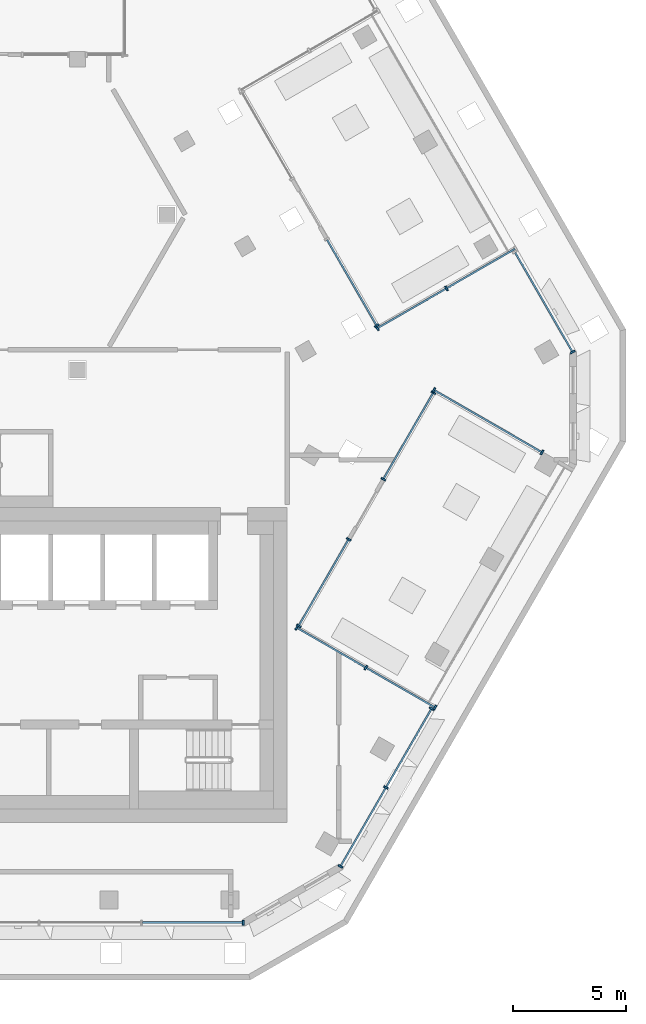
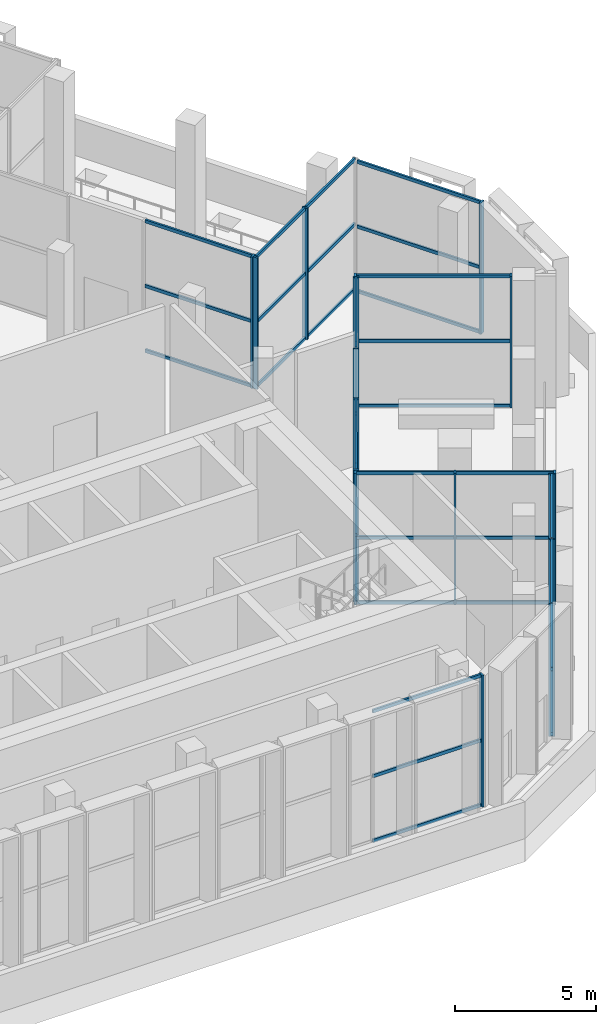
# One storey, part 3 of 23: 53 members, 9 elements without a shape of their own.
"""IFC4 building model written with IfcOpenShell, lengths in metres."""

from ifc_helpers import new_model, si_unit, direction, frame, origin, origin_2d, place, context, subcontext, project, spatial, rectangle, hollow_rectangle, extrude, material, material_profile, profile_set, type_object, element, aggregate, save


model = new_model("IFC4")

# Units and contexts
model_context = context("Model", 3, precision=1e-05, world=origin(), true_north=direction((0.0, 1.0)))
body_context = subcontext(model_context, "Body", "Model", "MODEL_VIEW")
ifc_project = project(units=[si_unit("LENGTHUNIT", "METRE"), si_unit("AREAUNIT", "SQUARE_METRE"), si_unit("VOLUMEUNIT", "CUBIC_METRE"), si_unit("PLANEANGLEUNIT", "RADIAN"), si_unit("MASSUNIT", "GRAM", prefix="KILO")], contexts=[model_context])

# Site, building, storey
site_placement = place(None, origin())
site = spatial("IfcSite", under=ifc_project, at=site_placement, CompositionType="ELEMENT")
building_placement = place(site_placement, origin())
building = spatial("IfcBuilding", under=site, at=building_placement, Name="Beryl Residences", CompositionType="ELEMENT")
storey_placement = place(building_placement, frame((0.0, 0.0, 157.199951171875)))
storey = spatial("IfcBuildingStorey", under=building, at=storey_placement, Name="L48", CompositionType="ELEMENT", Elevation=157.199951171875)

# Curtain wall, member
ifc_material_1 = material(Name="Aluminium and clear glass", Category="aluminium")
curtain_wall_type = type_object("IfcCurtainWallType", Name="CW3 sky garden glazing glazed wall", PredefinedType="NOTDEFINED", material=ifc_material_1)
curtain_wall_1_placement = place(storey_placement, origin())
curtain_wall_1 = element("IfcCurtainWall", 1, at=curtain_wall_1_placement, inside=storey, type_object=curtain_wall_type, Name="CW3 L48 S", PredefinedType="NOTDEFINED")
ifc_material_2 = material(Name="Aluminium", Category="aluminium")
ifc_material_profile_1 = material_profile(ifc_material_2, rectangle(XDim=0.080078125, YDim=0.219970703125, at=origin_2d()))
ifc_profile_set_1 = profile_set([ifc_material_profile_1], Name="Aluminium")
member_type_1 = type_object("IfcMemberType", Name="CW3-M mullion 80 x 220 mm", PredefinedType="MULLION", material=ifc_profile_set_1)
member_1_placement = place(storey_placement, frame((11.35107421875, -23.449951171875, 0.0), z_axis=(0.0, 0.0, 1.0), x_axis=(1.0, 0.0, 0.0)))
member_1 = element("IfcMember", 2, at=member_1_placement, type_object=member_type_1, Name="CW3 mullion 6", PredefinedType="MULLION", context=body_context, shape_type="SweptSolid", body=[
    extrude(rectangle(XDim=0.080078125, YDim=0.219970703125, at=origin_2d()), origin(), (0.0, 0.0, 1.0), 5.699951171875),
])

# Curtain wall, members
curtain_wall_2_placement = place(storey_placement, origin())
curtain_wall_2 = element("IfcCurtainWall", 3, at=curtain_wall_2_placement, inside=storey, type_object=curtain_wall_type, Name="CW3 L48 SE", PredefinedType="NOTDEFINED")
member_2_placement = place(storey_placement, frame((15.6708984375, -20.955322265625, 0.0), z_axis=(0.0, 0.0, 1.0), x_axis=(0.500071793615, 0.865983949754, 0.0)))
member_2 = element("IfcMember", 4, at=member_2_placement, type_object=member_type_1, Name="CW3 mullion 1", PredefinedType="MULLION", context=body_context, shape_type="SweptSolid", body=[
    extrude(rectangle(XDim=0.080078125, YDim=0.219970703125, at=origin_2d()), origin(), (0.0, 0.0, 1.0), 5.699951171875),
])
member_3_placement = place(storey_placement, frame((17.695556640625, -17.449462890625, 0.0), z_axis=(0.0, 0.0, 1.0), x_axis=(0.500071793615, 0.865983949754, 0.0)))
member_3 = element("IfcMember", 5, at=member_3_placement, type_object=member_type_1, Name="CW3 mullion 2", PredefinedType="MULLION", context=body_context, shape_type="SweptSolid", body=[
    extrude(rectangle(XDim=0.080078125, YDim=0.219970703125, at=origin_2d()), origin(), (0.0, 0.0, 1.0), 5.699951171875),
])
member_4_placement = place(storey_placement, frame((19.719970703125, -13.943603515625, 0.0), z_axis=(0.0, 0.0, 1.0), x_axis=(0.500071793615, 0.865983949754, 0.0)))
member_4 = element("IfcMember", 6, at=member_4_placement, type_object=member_type_1, Name="CW3 mullion 3", PredefinedType="MULLION", context=body_context, shape_type="SweptSolid", body=[
    extrude(rectangle(XDim=0.080078125, YDim=0.219970703125, at=origin_2d()), origin(), (0.0, 0.0, 1.0), 5.699951171875),
])

# Curtain wall, member
curtain_wall_3_placement = place(storey_placement, origin())
curtain_wall_3 = element("IfcCurtainWall", 7, at=curtain_wall_3_placement, inside=storey, type_object=curtain_wall_type, Name="CW3 L48 NE", PredefinedType="NOTDEFINED")
member_5_placement = place(storey_placement, frame((25.98388671875, 1.89453125, 0.0), z_axis=(0.0, 0.0, 1.0), x_axis=(-0.500015649485, 0.866016368361, 0.0)))
member_5 = element("IfcMember", 8, at=member_5_placement, type_object=member_type_1, Name="CW3 mullion 1", PredefinedType="MULLION", context=body_context, shape_type="SweptSolid", body=[
    extrude(rectangle(XDim=0.080078125, YDim=0.219970703125, at=origin_2d()), origin(), (0.0, 0.0, 1.0), 5.699951171875),
])

# Curtain wall, members
curtain_wall_4_placement = place(storey_placement, origin())
curtain_wall_4 = element("IfcCurtainWall", 9, at=curtain_wall_4_placement, inside=storey, type_object=curtain_wall_type, Name="CW3 L48 SE garden back", PredefinedType="NOTDEFINED")
member_6_placement = place(storey_placement, frame((13.81591796875, -10.269287109375, 0.0), z_axis=(0.0, 0.0, 1.0), x_axis=(0.499850094856, 0.866111934263, 0.0)))
member_6 = element("IfcMember", 10, at=member_6_placement, type_object=member_type_1, Name="CW3 mullion 1", PredefinedType="MULLION", context=body_context, shape_type="SweptSolid", body=[
    extrude(rectangle(XDim=0.080078125, YDim=0.219970703125, at=origin_2d()), origin(), (0.0, 0.0, 1.0), 5.699951171875),
])
member_7_placement = place(storey_placement, frame((16.035888671875, -6.422607421875, 0.0), z_axis=(0.0, 0.0, 1.0), x_axis=(0.499850094856, 0.866111934263, 0.0)))
member_7 = element("IfcMember", 11, at=member_7_placement, type_object=member_type_1, Name="CW3 mullion 2", PredefinedType="MULLION", context=body_context, shape_type="SweptSolid", body=[
    extrude(rectangle(XDim=0.080078125, YDim=0.219970703125, at=origin_2d()), origin(), (0.0, 0.0, 1.0), 5.699951171875),
])

curtain_wall_5_placement = place(storey_placement, origin())
curtain_wall_5 = element("IfcCurtainWall", 12, at=curtain_wall_5_placement, inside=storey, type_object=curtain_wall_type, Name="CW3 L48 SE garden back", PredefinedType="NOTDEFINED")
member_8_placement = place(storey_placement, frame((17.575927734375, -3.75537109375, 0.0), z_axis=(0.0, 0.0, 1.0), x_axis=(0.500015979941, 0.866016177565, 0.0)))
member_8 = element("IfcMember", 13, at=member_8_placement, type_object=member_type_1, Name="CW3 mullion 1", PredefinedType="MULLION", context=body_context, shape_type="SweptSolid", body=[
    extrude(rectangle(XDim=0.080078125, YDim=0.219970703125, at=origin_2d()), origin(), (0.0, 0.0, 1.0), 5.699951171875),
])
member_9_placement = place(storey_placement, frame((19.797119140625, 0.09130859375, 0.0), z_axis=(0.0, 0.0, 1.0), x_axis=(0.500015979941, 0.866016177565, 0.0)))
member_9 = element("IfcMember", 14, at=member_9_placement, type_object=member_type_1, Name="CW3 mullion 2", PredefinedType="MULLION", context=body_context, shape_type="SweptSolid", body=[
    extrude(rectangle(XDim=0.080078125, YDim=0.219970703125, at=origin_2d()), origin(), (0.0, 0.0, 1.0), 5.699951171875),
])

curtain_wall_6_placement = place(storey_placement, origin())
curtain_wall_6 = element("IfcCurtainWall", 15, at=curtain_wall_6_placement, inside=storey, type_object=curtain_wall_type, Name="CW3 L48 SE garden left", PredefinedType="NOTDEFINED")
member_10_placement = place(storey_placement, frame((19.872314453125, -13.89892578125, 0.0), z_axis=(0.0, 0.0, 1.0), x_axis=(-0.866004557823, 0.500036104527, 0.0)))
member_10 = element("IfcMember", 16, at=member_10_placement, type_object=member_type_1, Name="CW3 mullion 1", PredefinedType="MULLION", context=body_context, shape_type="SweptSolid", body=[
    extrude(rectangle(XDim=0.080078125, YDim=0.219970703125, at=origin_2d()), origin(), (0.0, 0.0, 1.0), 5.699951171875),
])
member_11_placement = place(storey_placement, frame((16.800048828125, -12.125, 0.0), z_axis=(0.0, 0.0, 1.0), x_axis=(-0.866004557823, 0.500036104527, 0.0)))
member_11 = element("IfcMember", 17, at=member_11_placement, type_object=member_type_1, Name="CW3 mullion 2", PredefinedType="MULLION", context=body_context, shape_type="SweptSolid", body=[
    extrude(rectangle(XDim=0.080078125, YDim=0.219970703125, at=origin_2d()), origin(), (0.0, 0.0, 1.0), 5.699951171875),
])
member_12_placement = place(storey_placement, frame((13.7275390625, -10.35107421875, 0.0), z_axis=(0.0, 0.0, 1.0), x_axis=(-0.866004557823, 0.500036104527, 0.0)))
member_12 = element("IfcMember", 18, at=member_12_placement, type_object=member_type_1, Name="CW3 mullion 3", PredefinedType="MULLION", context=body_context, shape_type="SweptSolid", body=[
    extrude(rectangle(XDim=0.080078125, YDim=0.219970703125, at=origin_2d()), origin(), (0.0, 0.0, 1.0), 5.699951171875),
])

curtain_wall_7_placement = place(storey_placement, origin())
curtain_wall_7 = element("IfcCurtainWall", 19, at=curtain_wall_7_placement, inside=storey, type_object=curtain_wall_type, Name="CW3 L48 SE garden right", PredefinedType="NOTDEFINED")
member_13_placement = place(storey_placement, frame((24.622314453125, -2.56201171875, 0.0), z_axis=(0.0, 0.0, 1.0), x_axis=(-0.866067086515, 0.499927796442, 0.0)))
member_13 = element("IfcMember", 20, at=member_13_placement, type_object=member_type_1, Name="CW3 mullion 1", PredefinedType="MULLION", context=body_context, shape_type="SweptSolid", body=[
    extrude(rectangle(XDim=0.080078125, YDim=0.219970703125, at=origin_2d()), origin(), (0.0, 0.0, 1.0), 5.699951171875),
])
member_14_placement = place(storey_placement, frame((19.82373046875, 0.2080078125, 0.0), z_axis=(0.0, 0.0, 1.0), x_axis=(-0.866067086515, 0.499927796442, 0.0)))
member_14 = element("IfcMember", 21, at=member_14_placement, type_object=member_type_1, Name="CW3 mullion 2", PredefinedType="MULLION", context=body_context, shape_type="SweptSolid", body=[
    extrude(rectangle(XDim=0.080078125, YDim=0.219970703125, at=origin_2d()), origin(), (0.0, 0.0, 1.0), 5.699951171875),
])

# Curtain wall, member
curtain_wall_8_placement = place(storey_placement, origin())
curtain_wall_8 = element("IfcCurtainWall", 22, at=curtain_wall_8_placement, inside=storey, type_object=curtain_wall_type, Name="CW3 L48 NE garden back", PredefinedType="NOTDEFINED")
member_15_placement = place(storey_placement, frame((17.281982421875, 3.066650390625, 0.0), z_axis=(0.0, 0.0, 1.0), x_axis=(-0.500060373122, 0.86599054454, 0.0)))
member_15 = element("IfcMember", 23, at=member_15_placement, type_object=member_type_1, Name="CW3 mullion 1", PredefinedType="MULLION", context=body_context, shape_type="SweptSolid", body=[
    extrude(rectangle(XDim=0.080078125, YDim=0.219970703125, at=origin_2d()), origin(), (0.0, 0.0, 1.0), 5.699951171875),
])

# Curtain wall, members
curtain_wall_9_placement = place(storey_placement, origin())
curtain_wall_9 = element("IfcCurtainWall", 24, at=curtain_wall_9_placement, inside=storey, type_object=curtain_wall_type, Name="CW3 L48 NE garden left", PredefinedType="NOTDEFINED")
member_16_placement = place(storey_placement, frame((20.381103515625, 4.723388671875, 0.0), z_axis=(0.0, 0.0, 1.0), x_axis=(-0.866064904776, -0.499931576033, 0.0)))
member_16 = element("IfcMember", 25, at=member_16_placement, type_object=member_type_1, Name="CW3 mullion 2", PredefinedType="MULLION", context=body_context, shape_type="SweptSolid", body=[
    extrude(rectangle(XDim=0.080078125, YDim=0.219970703125, at=origin_2d()), origin(), (0.0, 0.0, 1.0), 5.699951171875),
])
member_17_placement = place(storey_placement, frame((17.30859375, 2.949951171875, 0.0), z_axis=(0.0, 0.0, 1.0), x_axis=(-0.866064904776, -0.499931576033, 0.0)))
member_17 = element("IfcMember", 26, at=member_17_placement, type_object=member_type_1, Name="CW3 mullion 3", PredefinedType="MULLION", context=body_context, shape_type="SweptSolid", body=[
    extrude(rectangle(XDim=0.080078125, YDim=0.219970703125, at=origin_2d()), origin(), (0.0, 0.0, 1.0), 5.699951171875),
])

# Member
ifc_material_3 = material(Name="Aluminium", Category="aluminium")
ifc_material_profile_2 = material_profile(ifc_material_3, hollow_rectangle(XDim=0.080078125, YDim=0.139892578125, WallThickness=0.00390625, at=origin_2d()))
ifc_profile_set_2 = profile_set([ifc_material_profile_2], Name="Aluminium")
member_type_2 = type_object("IfcMemberType", Name="CW3-T transom 80 x 140 mm", PredefinedType="USERDEFINED", material=ifc_profile_set_2)
member_18_placement = place(storey_placement, frame((6.87451171875, -23.449951171875, 0.0400390625), z_axis=(1.0, 0.0, 0.0), x_axis=(0.0, 1.0, 0.0)))
member_18 = element("IfcMember", 27, at=member_18_placement, type_object=member_type_2, Name="CW3 transom 5.1", ObjectType="TRANSOM", PredefinedType="USERDEFINED", context=body_context, shape_type="SweptSolid", body=[
    extrude(hollow_rectangle(XDim=0.080078125, YDim=0.139892578125, WallThickness=0.00390625, at=origin_2d()), origin(), (0.0, 0.0, 1.0), 4.4365234375),
])

member_19_placement = place(storey_placement, frame((6.87451171875, -23.449951171875, 2.85009765625), z_axis=(1.0, 0.0, 0.0), x_axis=(0.0, 1.0, 0.0)))
member_19 = element("IfcMember", 28, at=member_19_placement, type_object=member_type_2, Name="CW3 transom 5.2", ObjectType="TRANSOM", PredefinedType="USERDEFINED", context=body_context, shape_type="SweptSolid", body=[
    extrude(hollow_rectangle(XDim=0.080078125, YDim=0.139892578125, WallThickness=0.00390625, at=origin_2d()), origin(), (0.0, 0.0, 1.0), 4.4365234375),
])

member_20_placement = place(storey_placement, frame((6.87451171875, -23.449951171875, 5.66015625), z_axis=(1.0, 0.0, 0.0), x_axis=(0.0, 1.0, 0.0)))
member_20 = element("IfcMember", 29, at=member_20_placement, type_object=member_type_2, Name="CW3 transom 5.3", ObjectType="TRANSOM", PredefinedType="USERDEFINED", context=body_context, shape_type="SweptSolid", body=[
    extrude(hollow_rectangle(XDim=0.080078125, YDim=0.139892578125, WallThickness=0.00390625, at=origin_2d()), origin(), (0.0, 0.0, 1.0), 4.4365234375),
])

aggregate(curtain_wall_1, [member_1, member_18, member_19, member_20])

member_21_placement = place(storey_placement, frame((15.69091796875, -20.920654296875, 0.0400390625), z_axis=(0.500102318353, 0.865966322196, 0.0), x_axis=(-0.865966322196, 0.500102318353, 0.0)))
member_21 = element("IfcMember", 30, at=member_21_placement, type_object=member_type_2, Name="CW3 transom 1.1", ObjectType="TRANSOM", PredefinedType="USERDEFINED", context=body_context, shape_type="SweptSolid", body=[
    extrude(hollow_rectangle(XDim=0.080078125, YDim=0.139892578125, WallThickness=0.00390625, at=origin_2d()), origin(), (0.0, 0.0, 1.0), 3.968505859375),
])

member_22_placement = place(storey_placement, frame((15.69091796875, -20.920654296875, 2.85009765625), z_axis=(0.500102318353, 0.865966322196, 0.0), x_axis=(-0.865966322196, 0.500102318353, 0.0)))
member_22 = element("IfcMember", 31, at=member_22_placement, type_object=member_type_2, Name="CW3 transom 1.2", ObjectType="TRANSOM", PredefinedType="USERDEFINED", context=body_context, shape_type="SweptSolid", body=[
    extrude(hollow_rectangle(XDim=0.080078125, YDim=0.139892578125, WallThickness=0.00390625, at=origin_2d()), origin(), (0.0, 0.0, 1.0), 3.968505859375),
])

member_23_placement = place(storey_placement, frame((15.69091796875, -20.920654296875, 5.66015625), z_axis=(0.500102318353, 0.865966322196, 0.0), x_axis=(-0.865966322196, 0.500102318353, 0.0)))
member_23 = element("IfcMember", 32, at=member_23_placement, type_object=member_type_2, Name="CW3 transom 1.3", ObjectType="TRANSOM", PredefinedType="USERDEFINED", context=body_context, shape_type="SweptSolid", body=[
    extrude(hollow_rectangle(XDim=0.080078125, YDim=0.139892578125, WallThickness=0.00390625, at=origin_2d()), origin(), (0.0, 0.0, 1.0), 3.968505859375),
])

member_24_placement = place(storey_placement, frame((17.715576171875, -17.414794921875, 0.0400390625), z_axis=(0.500056181943, 0.865992964694, 0.0), x_axis=(-0.865992964694, 0.500056181943, 0.0)))
member_24 = element("IfcMember", 33, at=member_24_placement, type_object=member_type_2, Name="CW3 transom 2.1", ObjectType="TRANSOM", PredefinedType="USERDEFINED", context=body_context, shape_type="SweptSolid", body=[
    extrude(hollow_rectangle(XDim=0.080078125, YDim=0.139892578125, WallThickness=0.00390625, at=origin_2d()), origin(), (0.0, 0.0, 1.0), 3.96826171875),
])

member_25_placement = place(storey_placement, frame((17.715576171875, -17.414794921875, 2.85009765625), z_axis=(0.500056181943, 0.865992964694, 0.0), x_axis=(-0.865992964694, 0.500056181943, 0.0)))
member_25 = element("IfcMember", 34, at=member_25_placement, type_object=member_type_2, Name="CW3 transom 2.2", ObjectType="TRANSOM", PredefinedType="USERDEFINED", context=body_context, shape_type="SweptSolid", body=[
    extrude(hollow_rectangle(XDim=0.080078125, YDim=0.139892578125, WallThickness=0.00390625, at=origin_2d()), origin(), (0.0, 0.0, 1.0), 3.96826171875),
])

member_26_placement = place(storey_placement, frame((17.715576171875, -17.414794921875, 5.66015625), z_axis=(0.500056181943, 0.865992964694, 0.0), x_axis=(-0.865992964694, 0.500056181943, 0.0)))
member_26 = element("IfcMember", 35, at=member_26_placement, type_object=member_type_2, Name="CW3 transom 2.3", ObjectType="TRANSOM", PredefinedType="USERDEFINED", context=body_context, shape_type="SweptSolid", body=[
    extrude(hollow_rectangle(XDim=0.080078125, YDim=0.139892578125, WallThickness=0.00390625, at=origin_2d()), origin(), (0.0, 0.0, 1.0), 3.96826171875),
])

aggregate(curtain_wall_2, [member_2, member_3, member_4, member_21, member_22, member_23, member_24, member_25, member_26])

member_27_placement = place(storey_placement, frame((25.964111328125, 1.92919921875, 0.0400390625), z_axis=(-0.500028982774, 0.866008669925, 0.0), x_axis=(-0.866008669925, -0.500028982774, 0.0)))
member_27 = element("IfcMember", 36, at=member_27_placement, type_object=member_type_2, Name="CW3 transom 1.1", ObjectType="TRANSOM", PredefinedType="USERDEFINED", context=body_context, shape_type="SweptSolid", body=[
    extrude(hollow_rectangle(XDim=0.080078125, YDim=0.139892578125, WallThickness=0.00390625, at=origin_2d()), origin(), (0.0, 0.0, 1.0), 5.055908203125),
])

member_28_placement = place(storey_placement, frame((25.964111328125, 1.92919921875, 2.85009765625), z_axis=(-0.500028982774, 0.866008669925, 0.0), x_axis=(-0.866008669925, -0.500028982774, 0.0)))
member_28 = element("IfcMember", 37, at=member_28_placement, type_object=member_type_2, Name="CW3 transom 1.2", ObjectType="TRANSOM", PredefinedType="USERDEFINED", context=body_context, shape_type="SweptSolid", body=[
    extrude(hollow_rectangle(XDim=0.080078125, YDim=0.139892578125, WallThickness=0.00390625, at=origin_2d()), origin(), (0.0, 0.0, 1.0), 5.055908203125),
])

member_29_placement = place(storey_placement, frame((25.964111328125, 1.92919921875, 5.66015625), z_axis=(-0.500028982774, 0.866008669925, 0.0), x_axis=(-0.866008669925, -0.500028982774, 0.0)))
member_29 = element("IfcMember", 38, at=member_29_placement, type_object=member_type_2, Name="CW3 transom 1.3", ObjectType="TRANSOM", PredefinedType="USERDEFINED", context=body_context, shape_type="SweptSolid", body=[
    extrude(hollow_rectangle(XDim=0.080078125, YDim=0.139892578125, WallThickness=0.00390625, at=origin_2d()), origin(), (0.0, 0.0, 1.0), 5.055908203125),
])

aggregate(curtain_wall_3, [member_5, member_27, member_28, member_29])

member_30_placement = place(storey_placement, frame((13.8359375, -10.234619140625, 0.0400390625), z_axis=(0.499883979681, 0.866092377786, 0.0), x_axis=(-0.866092377786, 0.499883979681, 0.0)))
member_30 = element("IfcMember", 39, at=member_30_placement, type_object=member_type_2, Name="CW3 transom 1.1", ObjectType="TRANSOM", PredefinedType="USERDEFINED", context=body_context, shape_type="SweptSolid", body=[
    extrude(hollow_rectangle(XDim=0.080078125, YDim=0.139892578125, WallThickness=0.00390625, at=origin_2d()), origin(), (0.0, 0.0, 1.0), 4.361328125),
])

member_31_placement = place(storey_placement, frame((13.8359375, -10.234619140625, 2.85009765625), z_axis=(0.499883979681, 0.866092377786, 0.0), x_axis=(-0.866092377786, 0.499883979681, 0.0)))
member_31 = element("IfcMember", 40, at=member_31_placement, type_object=member_type_2, Name="CW3 transom 1.2", ObjectType="TRANSOM", PredefinedType="USERDEFINED", context=body_context, shape_type="SweptSolid", body=[
    extrude(hollow_rectangle(XDim=0.080078125, YDim=0.139892578125, WallThickness=0.00390625, at=origin_2d()), origin(), (0.0, 0.0, 1.0), 4.361328125),
])

member_32_placement = place(storey_placement, frame((13.8359375, -10.234619140625, 5.66015625), z_axis=(0.499883979681, 0.866092377786, 0.0), x_axis=(-0.866092377786, 0.499883979681, 0.0)))
member_32 = element("IfcMember", 41, at=member_32_placement, type_object=member_type_2, Name="CW3 transom 1.3", ObjectType="TRANSOM", PredefinedType="USERDEFINED", context=body_context, shape_type="SweptSolid", body=[
    extrude(hollow_rectangle(XDim=0.080078125, YDim=0.139892578125, WallThickness=0.00390625, at=origin_2d()), origin(), (0.0, 0.0, 1.0), 4.361328125),
])

aggregate(curtain_wall_4, [member_6, member_7, member_30, member_31, member_32])

member_33_placement = place(storey_placement, frame((17.595947265625, -3.720703125, 0.0400390625), z_axis=(0.500051911605, 0.865995430531, 0.0), x_axis=(-0.865995430531, 0.500051911605, 0.0)))
member_33 = element("IfcMember", 42, at=member_33_placement, type_object=member_type_2, Name="CW3 transom 1.1", ObjectType="TRANSOM", PredefinedType="USERDEFINED", context=body_context, shape_type="SweptSolid", body=[
    extrude(hollow_rectangle(XDim=0.080078125, YDim=0.139892578125, WallThickness=0.00390625, at=origin_2d()), origin(), (0.0, 0.0, 1.0), 4.36181640625),
])

member_34_placement = place(storey_placement, frame((17.595947265625, -3.720703125, 2.85009765625), z_axis=(0.500051911605, 0.865995430531, 0.0), x_axis=(-0.865995430531, 0.500051911605, 0.0)))
member_34 = element("IfcMember", 43, at=member_34_placement, type_object=member_type_2, Name="CW3 transom 1.2", ObjectType="TRANSOM", PredefinedType="USERDEFINED", context=body_context, shape_type="SweptSolid", body=[
    extrude(hollow_rectangle(XDim=0.080078125, YDim=0.139892578125, WallThickness=0.00390625, at=origin_2d()), origin(), (0.0, 0.0, 1.0), 4.36181640625),
])

member_35_placement = place(storey_placement, frame((17.595947265625, -3.720703125, 5.66015625), z_axis=(0.500051911605, 0.865995430531, 0.0), x_axis=(-0.865995430531, 0.500051911605, 0.0)))
member_35 = element("IfcMember", 44, at=member_35_placement, type_object=member_type_2, Name="CW3 transom 1.3", ObjectType="TRANSOM", PredefinedType="USERDEFINED", context=body_context, shape_type="SweptSolid", body=[
    extrude(hollow_rectangle(XDim=0.080078125, YDim=0.139892578125, WallThickness=0.00390625, at=origin_2d()), origin(), (0.0, 0.0, 1.0), 4.36181640625),
])

aggregate(curtain_wall_5, [member_8, member_9, member_33, member_34, member_35])

member_36_placement = place(storey_placement, frame((19.837646484375, -13.87890625, 0.0400390625), z_axis=(-0.866007364299, 0.500031244004, 0.0), x_axis=(-0.500031244004, -0.866007364299, 0.0)))
member_36 = element("IfcMember", 45, at=member_36_placement, type_object=member_type_2, Name="CW3 transom 1.1", ObjectType="TRANSOM", PredefinedType="USERDEFINED", context=body_context, shape_type="SweptSolid", body=[
    extrude(hollow_rectangle(XDim=0.080078125, YDim=0.139892578125, WallThickness=0.00390625, at=origin_2d()), origin(), (0.0, 0.0, 1.0), 3.467529296875),
])

member_37_placement = place(storey_placement, frame((19.837646484375, -13.87890625, 2.85009765625), z_axis=(-0.866007364299, 0.500031244004, 0.0), x_axis=(-0.500031244004, -0.866007364299, 0.0)))
member_37 = element("IfcMember", 46, at=member_37_placement, type_object=member_type_2, Name="CW3 transom 1.2", ObjectType="TRANSOM", PredefinedType="USERDEFINED", context=body_context, shape_type="SweptSolid", body=[
    extrude(hollow_rectangle(XDim=0.080078125, YDim=0.139892578125, WallThickness=0.00390625, at=origin_2d()), origin(), (0.0, 0.0, 1.0), 3.467529296875),
])

member_38_placement = place(storey_placement, frame((19.837646484375, -13.87890625, 5.66015625), z_axis=(-0.866007364299, 0.500031244004, 0.0), x_axis=(-0.500031244004, -0.866007364299, 0.0)))
member_38 = element("IfcMember", 47, at=member_38_placement, type_object=member_type_2, Name="CW3 transom 1.3", ObjectType="TRANSOM", PredefinedType="USERDEFINED", context=body_context, shape_type="SweptSolid", body=[
    extrude(hollow_rectangle(XDim=0.080078125, YDim=0.139892578125, WallThickness=0.00390625, at=origin_2d()), origin(), (0.0, 0.0, 1.0), 3.467529296875),
])

member_39_placement = place(storey_placement, frame((16.765380859375, -12.10498046875, 0.0400390625), z_axis=(-0.866024966664, 0.500000757113, 0.0), x_axis=(-0.500000757113, -0.866024966664, 0.0)))
member_39 = element("IfcMember", 48, at=member_39_placement, type_object=member_type_2, Name="CW3 transom 2.1", ObjectType="TRANSOM", PredefinedType="USERDEFINED", context=body_context, shape_type="SweptSolid", body=[
    extrude(hollow_rectangle(XDim=0.080078125, YDim=0.139892578125, WallThickness=0.00390625, at=origin_2d()), origin(), (0.0, 0.0, 1.0), 3.4677734375),
])

member_40_placement = place(storey_placement, frame((16.765380859375, -12.10498046875, 2.85009765625), z_axis=(-0.866024966664, 0.500000757113, 0.0), x_axis=(-0.500000757113, -0.866024966664, 0.0)))
member_40 = element("IfcMember", 49, at=member_40_placement, type_object=member_type_2, Name="CW3 transom 2.2", ObjectType="TRANSOM", PredefinedType="USERDEFINED", context=body_context, shape_type="SweptSolid", body=[
    extrude(hollow_rectangle(XDim=0.080078125, YDim=0.139892578125, WallThickness=0.00390625, at=origin_2d()), origin(), (0.0, 0.0, 1.0), 3.4677734375),
])

member_41_placement = place(storey_placement, frame((16.765380859375, -12.10498046875, 5.66015625), z_axis=(-0.866024966664, 0.500000757113, 0.0), x_axis=(-0.500000757113, -0.866024966664, 0.0)))
member_41 = element("IfcMember", 50, at=member_41_placement, type_object=member_type_2, Name="CW3 transom 2.3", ObjectType="TRANSOM", PredefinedType="USERDEFINED", context=body_context, shape_type="SweptSolid", body=[
    extrude(hollow_rectangle(XDim=0.080078125, YDim=0.139892578125, WallThickness=0.00390625, at=origin_2d()), origin(), (0.0, 0.0, 1.0), 3.4677734375),
])

aggregate(curtain_wall_6, [member_10, member_11, member_12, member_36, member_37, member_38, member_39, member_40, member_41])

member_42_placement = place(storey_placement, frame((24.587646484375, -2.5419921875, 0.0400390625), z_axis=(-0.866061256853, 0.499937895521, 0.0), x_axis=(-0.499937895521, -0.866061256853, 0.0)))
member_42 = element("IfcMember", 51, at=member_42_placement, type_object=member_type_2, Name="CW3 transom 1.1", ObjectType="TRANSOM", PredefinedType="USERDEFINED", context=body_context, shape_type="SweptSolid", body=[
    extrude(hollow_rectangle(XDim=0.080078125, YDim=0.139892578125, WallThickness=0.00390625, at=origin_2d()), origin(), (0.0, 0.0, 1.0), 5.460693359375),
])

member_43_placement = place(storey_placement, frame((24.587646484375, -2.5419921875, 2.85009765625), z_axis=(-0.866061256853, 0.499937895521, 0.0), x_axis=(-0.499937895521, -0.866061256853, 0.0)))
member_43 = element("IfcMember", 52, at=member_43_placement, type_object=member_type_2, Name="CW3 transom 1.2", ObjectType="TRANSOM", PredefinedType="USERDEFINED", context=body_context, shape_type="SweptSolid", body=[
    extrude(hollow_rectangle(XDim=0.080078125, YDim=0.139892578125, WallThickness=0.00390625, at=origin_2d()), origin(), (0.0, 0.0, 1.0), 5.460693359375),
])

member_44_placement = place(storey_placement, frame((24.587646484375, -2.5419921875, 5.66015625), z_axis=(-0.866061256853, 0.499937895521, 0.0), x_axis=(-0.499937895521, -0.866061256853, 0.0)))
member_44 = element("IfcMember", 53, at=member_44_placement, type_object=member_type_2, Name="CW3 transom 1.3", ObjectType="TRANSOM", PredefinedType="USERDEFINED", context=body_context, shape_type="SweptSolid", body=[
    extrude(hollow_rectangle(XDim=0.080078125, YDim=0.139892578125, WallThickness=0.00390625, at=origin_2d()), origin(), (0.0, 0.0, 1.0), 5.460693359375),
])

aggregate(curtain_wall_7, [member_13, member_14, member_42, member_43, member_44])

member_45_placement = place(storey_placement, frame((17.261962890625, 3.101318359375, 0.0400390625), z_axis=(-0.500030664312, 0.866007699012, 0.0), x_axis=(-0.866007699012, -0.500030664312, 0.0)))
member_45 = element("IfcMember", 54, at=member_45_placement, type_object=member_type_2, Name="CW3 transom 1.1", ObjectType="TRANSOM", PredefinedType="USERDEFINED", context=body_context, shape_type="SweptSolid", body=[
    extrude(hollow_rectangle(XDim=0.080078125, YDim=0.139892578125, WallThickness=0.00390625, at=origin_2d()), origin(), (0.0, 0.0, 1.0), 4.365478515625),
])

member_46_placement = place(storey_placement, frame((17.261962890625, 3.101318359375, 2.85009765625), z_axis=(-0.500030664312, 0.866007699012, 0.0), x_axis=(-0.866007699012, -0.500030664312, 0.0)))
member_46 = element("IfcMember", 55, at=member_46_placement, type_object=member_type_2, Name="CW3 transom 1.2", ObjectType="TRANSOM", PredefinedType="USERDEFINED", context=body_context, shape_type="SweptSolid", body=[
    extrude(hollow_rectangle(XDim=0.080078125, YDim=0.139892578125, WallThickness=0.00390625, at=origin_2d()), origin(), (0.0, 0.0, 1.0), 4.365478515625),
])

member_47_placement = place(storey_placement, frame((17.261962890625, 3.101318359375, 5.66015625), z_axis=(-0.500030664312, 0.866007699012, 0.0), x_axis=(-0.866007699012, -0.500030664312, 0.0)))
member_47 = element("IfcMember", 56, at=member_47_placement, type_object=member_type_2, Name="CW3 transom 1.3", ObjectType="TRANSOM", PredefinedType="USERDEFINED", context=body_context, shape_type="SweptSolid", body=[
    extrude(hollow_rectangle(XDim=0.080078125, YDim=0.139892578125, WallThickness=0.00390625, at=origin_2d()), origin(), (0.0, 0.0, 1.0), 4.365478515625),
])

aggregate(curtain_wall_8, [member_15, member_45, member_46, member_47])

member_48_placement = place(storey_placement, frame((23.418701171875, 6.47705078125, 0.0400390625), z_axis=(-0.86605545147, -0.499947952271, 0.0), x_axis=(0.499947952271, -0.86605545147, 0.0)))
member_48 = element("IfcMember", 57, at=member_48_placement, type_object=member_type_2, Name="CW3 transom 1.1", ObjectType="TRANSOM", PredefinedType="USERDEFINED", context=body_context, shape_type="SweptSolid", body=[
    extrude(hollow_rectangle(XDim=0.080078125, YDim=0.139892578125, WallThickness=0.00390625, at=origin_2d()), origin(), (0.0, 0.0, 1.0), 3.467529296875),
])

member_49_placement = place(storey_placement, frame((23.418701171875, 6.47705078125, 2.85009765625), z_axis=(-0.86605545147, -0.499947952271, 0.0), x_axis=(0.499947952271, -0.86605545147, 0.0)))
member_49 = element("IfcMember", 58, at=member_49_placement, type_object=member_type_2, Name="CW3 transom 1.2", ObjectType="TRANSOM", PredefinedType="USERDEFINED", context=body_context, shape_type="SweptSolid", body=[
    extrude(hollow_rectangle(XDim=0.080078125, YDim=0.139892578125, WallThickness=0.00390625, at=origin_2d()), origin(), (0.0, 0.0, 1.0), 3.467529296875),
])

member_50_placement = place(storey_placement, frame((23.418701171875, 6.47705078125, 5.66015625), z_axis=(-0.86605545147, -0.499947952271, 0.0), x_axis=(0.499947952271, -0.86605545147, 0.0)))
member_50 = element("IfcMember", 59, at=member_50_placement, type_object=member_type_2, Name="CW3 transom 1.3", ObjectType="TRANSOM", PredefinedType="USERDEFINED", context=body_context, shape_type="SweptSolid", body=[
    extrude(hollow_rectangle(XDim=0.080078125, YDim=0.139892578125, WallThickness=0.00390625, at=origin_2d()), origin(), (0.0, 0.0, 1.0), 3.467529296875),
])

member_51_placement = place(storey_placement, frame((20.346435546875, 4.70361328125, 0.0400390625), z_axis=(-0.86605545147, -0.499947952271, 0.0), x_axis=(0.499947952271, -0.86605545147, 0.0)))
member_51 = element("IfcMember", 60, at=member_51_placement, type_object=member_type_2, Name="CW3 transom 2.1", ObjectType="TRANSOM", PredefinedType="USERDEFINED", context=body_context, shape_type="SweptSolid", body=[
    extrude(hollow_rectangle(XDim=0.080078125, YDim=0.139892578125, WallThickness=0.00390625, at=origin_2d()), origin(), (0.0, 0.0, 1.0), 3.467529296875),
])

member_52_placement = place(storey_placement, frame((20.346435546875, 4.70361328125, 2.85009765625), z_axis=(-0.86605545147, -0.499947952271, 0.0), x_axis=(0.499947952271, -0.86605545147, 0.0)))
member_52 = element("IfcMember", 61, at=member_52_placement, type_object=member_type_2, Name="CW3 transom 2.2", ObjectType="TRANSOM", PredefinedType="USERDEFINED", context=body_context, shape_type="SweptSolid", body=[
    extrude(hollow_rectangle(XDim=0.080078125, YDim=0.139892578125, WallThickness=0.00390625, at=origin_2d()), origin(), (0.0, 0.0, 1.0), 3.467529296875),
])

member_53_placement = place(storey_placement, frame((20.346435546875, 4.70361328125, 5.66015625), z_axis=(-0.86605545147, -0.499947952271, 0.0), x_axis=(0.499947952271, -0.86605545147, 0.0)))
member_53 = element("IfcMember", 62, at=member_53_placement, type_object=member_type_2, Name="CW3 transom 2.3", ObjectType="TRANSOM", PredefinedType="USERDEFINED", context=body_context, shape_type="SweptSolid", body=[
    extrude(hollow_rectangle(XDim=0.080078125, YDim=0.139892578125, WallThickness=0.00390625, at=origin_2d()), origin(), (0.0, 0.0, 1.0), 3.467529296875),
])

aggregate(curtain_wall_9, [member_16, member_17, member_48, member_49, member_50, member_51, member_52, member_53])

save(model, "model.ifc")
